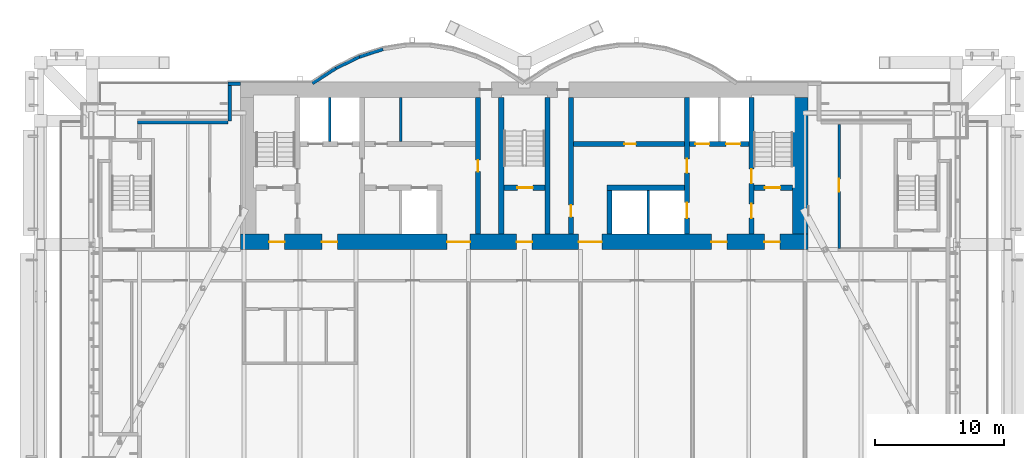
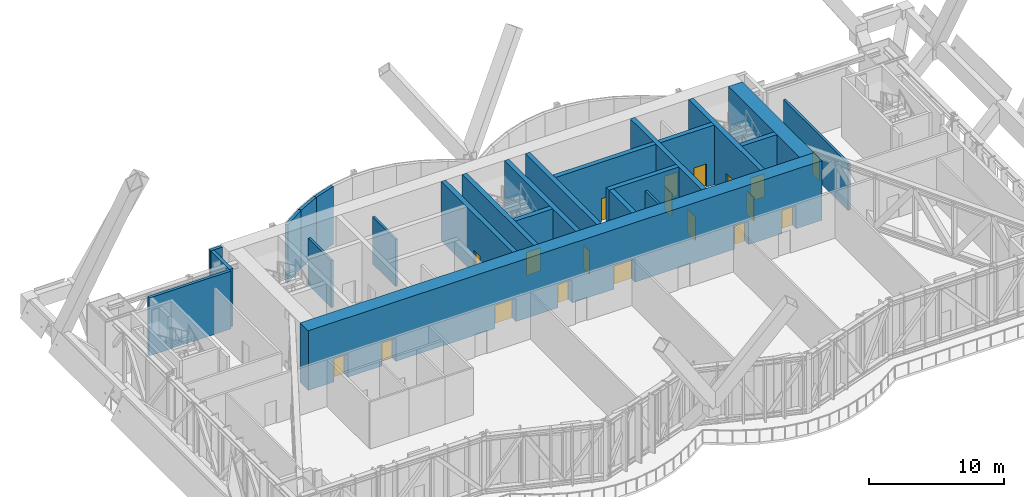
# One storey, part 25 of 30: 23 walls, 19 doors, 19 openings.
"""IFC4 building model written with IfcOpenShell, lengths in metres."""

from ifc_helpers import new_model, si_unit, direction, frame, frame_2d, origin, place, context, subcontext, project, spatial, rectangle, extrude, material, layer, layer_set, layer_usage, type_object, element, fill, save


model = new_model("IFC4")

# Units and contexts
model_context = context("Model", 3, precision=1e-05, world=origin(), true_north=direction((0.0, 1.0)))
body_context = subcontext(model_context, "Body", "Model", "MODEL_VIEW")
ifc_project = project(units=[si_unit("LENGTHUNIT", "METRE"), si_unit("AREAUNIT", "SQUARE_METRE"), si_unit("VOLUMEUNIT", "CUBIC_METRE"), si_unit("PLANEANGLEUNIT", "RADIAN"), si_unit("MASSUNIT", "GRAM", prefix="KILO")], contexts=[model_context])

# Site, building, storey
site_placement = place(None, origin())
site = spatial("IfcSite", under=ifc_project, at=site_placement, CompositionType="ELEMENT")
building_placement = place(site_placement, origin())
building = spatial("IfcBuilding", under=site, at=building_placement, Name="Bicima Exchange Tower", CompositionType="ELEMENT")
storey_placement = place(building_placement, frame((0.0, 0.0, 185.5)))
storey = spatial("IfcBuildingStorey", under=building, at=storey_placement, Name="L41", CompositionType="ELEMENT", Elevation=185.5)

# Walls
ifc_material_1 = material(Name="Gypsum board partition")
ifc_layer_1 = layer(ifc_material_1, 0.199951171875)
ifc_layer_set_1 = layer_set([ifc_layer_1], Name="Gypsum board partition")
wall_type_1 = type_object("IfcWallType", Name="Fire-rated gypsum partition 200 EI120", PredefinedType="PARTITIONING", material=ifc_layer_set_1)
for number, where, z_axis, x_axis, name in (
    (1, (-15.10009765625, -4.60009765625, 0.0), (0.0, 0.0, 1.0), (0.0, 1.0, 0.0), "partition wall 9"),
    (2, (9.60009765625, -11.800048828125, 0.0), (0.0, 0.0, 1.0), (0.0, 1.0, 0.0), "partition wall 19"),
):
    element("IfcWall", number, at=place(storey_placement, frame(where, z_axis=z_axis, x_axis=x_axis)), inside=storey, type_object=wall_type_1, Name=name, PredefinedType="PARTITIONING", context=body_context, shape_type="SweptSolid", body=[
        extrude(rectangle(XDim=3.400146484375, YDim=0.199951171875, at=frame_2d((1.7001953125, 0.0))), origin(), (0.0, 0.0, 1.0), 4.259765625),
    ])

# Wall, opening, door
ifc_layer_2 = layer(ifc_material_1, 0.199951171875)
ifc_layer_set_2 = layer_set([ifc_layer_2], Name="Gypsum board partition")
wall_type_2 = type_object("IfcWallType", Name="Fire-rated gypsum partition 200 EI60", PredefinedType="PARTITIONING", material=ifc_layer_set_2)
wall_1_placement = place(storey_placement, frame((24.39990234375, -12.89990234375, 0.0), z_axis=(0.0, 0.0, 1.0), x_axis=(0.0, 1.0, 0.0)))
wall_1 = element("IfcWall", 3, at=wall_1_placement, inside=storey, type_object=wall_type_2, Name="partition wall 24", PredefinedType="PARTITIONING", context=body_context, shape_type="SweptSolid", body=[
    extrude(rectangle(XDim=9.599853515625, YDim=0.199951171875, at=frame_2d((4.7998046875, 0.0))), origin(), (0.0, 0.0, 1.0), 4.259765625),
])
opening_1_placement = place(wall_1_placement, frame((4.39990234375, 0.0, 0.0)))
opening_1 = element("IfcOpeningElement", 4, at=opening_1_placement, cuts=wall_1, Name="Opening L41-006", PredefinedType="OPENING", context=body_context, shape_type="SweptSolid", body=[
    extrude(rectangle(XDim=1.0, YDim=2.10009765625, at=frame_2d((0.5, 1.050048828125))), frame((0.0, 0.11181640625, 0.0), z_axis=(0.0, -1.0, 0.0), x_axis=(1.0, 0.0, 0.0)), (0.0, 0.0, 1.0), 0.223876953125),
])
ifc_material_2 = material(Name="Steel fire door leaf", Category="steel")
door_type_1 = type_object("IfcDoorType", Name="Door 1000 swing FD30S", OperationType="SINGLE_SWING_LEFT", PredefinedType="DOOR", material=ifc_material_2)
door_1_placement = place(opening_1_placement, frame((1.0, 0.0, 0.0), z_axis=(0.0, 0.0, 1.0), x_axis=(-1.0, 0.0, 0.0)))
door_1 = element("IfcDoor", 5, at=door_1_placement, inside=storey, type_object=door_type_1, Name="Door", OperationType="SINGLE_SWING_RIGHT", OverallHeight=2.10009765625, OverallWidth=1.0, PredefinedType="DOOR", context=body_context, shape_type="SweptSolid", body=[
    extrude(rectangle(XDim=1.0, YDim=2.10009765625, at=frame_2d((0.5, 1.050048828125))), frame((0.0, 0.02490234375, 0.0), z_axis=(0.0, -1.0, 0.0), x_axis=(1.0, 0.0, 0.0)), (0.0, 0.0, 1.0), 0.050048828125),
])
fill(opening_1, door_1)

# Wall
wall_2_placement = place(storey_placement, frame((-9.60009765625, -4.60009765625, 0.0), z_axis=(0.0, 0.0, 1.0), x_axis=(0.0, 1.0, 0.0)))
element("IfcWall", 6, at=wall_2_placement, inside=storey, type_object=wall_type_2, Name="partition wall 12", PredefinedType="PARTITIONING", context=body_context, shape_type="SweptSolid", body=[
    extrude(rectangle(XDim=3.400146484375, YDim=0.199951171875, at=frame_2d((1.7001953125, 0.0))), origin(), (0.0, 0.0, 1.0), 4.259765625),
])

# Wall, openings, doors
ifc_material_3 = material(Name="Concrete C50/60", Category="concrete")
ifc_layer_3 = layer(ifc_material_3, 1.199951171875)
ifc_layer_set_3 = layer_set([ifc_layer_3], Name="Concrete C50/60")
wall_type_3 = type_object("IfcWallType", Name="RC core wall 1200 C50/60", PredefinedType="SHEAR", material=ifc_layer_set_3)
wall_3_placement = place(storey_placement, frame((-22.0, -12.39990234375, 0.0), z_axis=(0.0, 0.0, 1.0), x_axis=(1.0, 0.0, 0.0)))
wall_3 = element("IfcWall", 7, at=wall_3_placement, inside=storey, type_object=wall_type_3, Name="Core wall south", PredefinedType="SHEAR", context=body_context, shape_type="SweptSolid", body=[
    extrude(rectangle(XDim=44.0, YDim=1.199951171875, at=frame_2d((22.0, 0.0))), origin(), (0.0, 0.0, 1.0), 5.39990234375),
])
opening_2_placement = place(wall_3_placement, frame((2.199951171875, 0.0, 0.0)))
opening_2 = element("IfcOpeningElement", 8, at=opening_2_placement, cuts=wall_3, Name="Opening L41-C18", PredefinedType="OPENING", context=body_context, shape_type="SweptSolid", body=[
    extrude(rectangle(XDim=1.199951171875, YDim=2.10009765625, at=frame_2d((0.60009765625, 1.050048828125))), frame((0.0, 0.61181640625, 0.0), z_axis=(0.0, -1.0, 0.0), x_axis=(1.0, 0.0, 0.0)), (0.0, 0.0, 1.0), 1.223876953125),
])
opening_3_placement = place(wall_3_placement, frame((21.39990234375, 0.0, 0.0)))
opening_3 = element("IfcOpeningElement", 9, at=opening_3_placement, cuts=wall_3, Name="Opening L41-C19", PredefinedType="OPENING", context=body_context, shape_type="SweptSolid", body=[
    extrude(rectangle(XDim=1.199951171875, YDim=2.10009765625, at=frame_2d((0.60009765625, 1.050048828125))), frame((0.0, 0.61181640625, 0.0), z_axis=(0.0, -1.0, 0.0), x_axis=(1.0, 0.0, 0.0)), (0.0, 0.0, 1.0), 1.223876953125),
])
opening_4_placement = place(wall_3_placement, frame((40.60009765625, 0.0, 0.0)))
opening_4 = element("IfcOpeningElement", 10, at=opening_4_placement, cuts=wall_3, Name="Opening L41-C20", PredefinedType="OPENING", context=body_context, shape_type="SweptSolid", body=[
    extrude(rectangle(XDim=1.199951171875, YDim=2.10009765625, at=frame_2d((0.60009765625, 1.050048828125))), frame((0.0, 0.61181640625, 0.0), z_axis=(0.0, -1.0, 0.0), x_axis=(1.0, 0.0, 0.0)), (0.0, 0.0, 1.0), 1.223876953125),
])
opening_5_placement = place(wall_3_placement, frame((16.0, 0.0, 0.0)))
opening_5 = element("IfcOpeningElement", 11, at=opening_5_placement, cuts=wall_3, Name="Opening L41-C21", PredefinedType="OPENING", context=body_context, shape_type="SweptSolid", body=[
    extrude(rectangle(XDim=1.800048828125, YDim=2.10009765625, at=frame_2d((0.89990234375, 1.050048828125))), frame((0.0, 0.61181640625, 0.0), z_axis=(0.0, -1.0, 0.0), x_axis=(1.0, 0.0, 0.0)), (0.0, 0.0, 1.0), 1.223876953125),
])
opening_6_placement = place(wall_3_placement, frame((6.300048828125, 0.0, 0.0)))
opening_6 = element("IfcOpeningElement", 12, at=opening_6_placement, cuts=wall_3, Name="Opening L41-C22", PredefinedType="OPENING", context=body_context, shape_type="SweptSolid", body=[
    extrude(rectangle(XDim=1.199951171875, YDim=2.10009765625, at=frame_2d((0.60009765625, 1.050048828125))), frame((0.0, 0.61181640625, 0.0), z_axis=(0.0, -1.0, 0.0), x_axis=(1.0, 0.0, 0.0)), (0.0, 0.0, 1.0), 1.223876953125),
])
opening_7_placement = place(wall_3_placement, frame((26.199951171875, 0.0, 0.0)))
opening_7 = element("IfcOpeningElement", 13, at=opening_7_placement, cuts=wall_3, Name="Opening L41-C23", PredefinedType="OPENING", context=body_context, shape_type="SweptSolid", body=[
    extrude(rectangle(XDim=1.800048828125, YDim=2.10009765625, at=frame_2d((0.89990234375, 1.050048828125))), frame((0.0, 0.61181640625, 0.0), z_axis=(0.0, -1.0, 0.0), x_axis=(1.0, 0.0, 0.0)), (0.0, 0.0, 1.0), 1.223876953125),
])
opening_8_placement = place(wall_3_placement, frame((36.5, 0.0, 0.0)))
opening_8 = element("IfcOpeningElement", 14, at=opening_8_placement, cuts=wall_3, Name="Opening L41-C24", PredefinedType="OPENING", context=body_context, shape_type="SweptSolid", body=[
    extrude(rectangle(XDim=1.199951171875, YDim=2.10009765625, at=frame_2d((0.60009765625, 1.050048828125))), frame((0.0, 0.61181640625, 0.0), z_axis=(0.0, -1.0, 0.0), x_axis=(1.0, 0.0, 0.0)), (0.0, 0.0, 1.0), 1.223876953125),
])
door_type_2 = type_object("IfcDoorType", Name="Door 1200 swing FD60S", OperationType="SINGLE_SWING_LEFT", PredefinedType="DOOR", material=ifc_material_2)
door_2_placement = place(opening_2_placement, frame((1.199951171875, 0.0, 0.0), z_axis=(0.0, 0.0, 1.0), x_axis=(-1.0, 0.0, 0.0)))
door_2 = element("IfcDoor", 15, at=door_2_placement, inside=storey, type_object=door_type_2, Name="Core door", OperationType="SINGLE_SWING_RIGHT", OverallHeight=2.10009765625, OverallWidth=1.199951171875, PredefinedType="DOOR", context=body_context, shape_type="SweptSolid", body=[
    extrude(rectangle(XDim=1.199951171875, YDim=2.10009765625, at=frame_2d((0.60009765625, 1.050048828125))), frame((0.0, 0.02490234375, 0.0), z_axis=(0.0, -1.0, 0.0), x_axis=(1.0, 0.0, 0.0)), (0.0, 0.0, 1.0), 0.050048828125),
])
fill(opening_2, door_2)
door_3_placement = place(opening_3_placement, frame((1.199951171875, 0.0, 0.0), z_axis=(0.0, 0.0, 1.0), x_axis=(-1.0, 0.0, 0.0)))
door_3 = element("IfcDoor", 16, at=door_3_placement, inside=storey, type_object=door_type_2, Name="Core door", OperationType="SINGLE_SWING_RIGHT", OverallHeight=2.10009765625, OverallWidth=1.199951171875, PredefinedType="DOOR", context=body_context, shape_type="SweptSolid", body=[
    extrude(rectangle(XDim=1.199951171875, YDim=2.10009765625, at=frame_2d((0.60009765625, 1.050048828125))), frame((0.0, 0.02490234375, 0.0), z_axis=(0.0, -1.0, 0.0), x_axis=(1.0, 0.0, 0.0)), (0.0, 0.0, 1.0), 0.050048828125),
])
fill(opening_3, door_3)
door_4_placement = place(opening_4_placement, frame((1.199951171875, 0.0, 0.0), z_axis=(0.0, 0.0, 1.0), x_axis=(-1.0, 0.0, 0.0)))
door_4 = element("IfcDoor", 17, at=door_4_placement, inside=storey, type_object=door_type_2, Name="Core door", OperationType="SINGLE_SWING_RIGHT", OverallHeight=2.10009765625, OverallWidth=1.199951171875, PredefinedType="DOOR", context=body_context, shape_type="SweptSolid", body=[
    extrude(rectangle(XDim=1.199951171875, YDim=2.10009765625, at=frame_2d((0.60009765625, 1.050048828125))), frame((0.0, 0.02490234375, 0.0), z_axis=(0.0, -1.0, 0.0), x_axis=(1.0, 0.0, 0.0)), (0.0, 0.0, 1.0), 0.050048828125),
])
fill(opening_4, door_4)
door_5_placement = place(opening_6_placement, frame((1.199951171875, 0.0, 0.0), z_axis=(0.0, 0.0, 1.0), x_axis=(-1.0, 0.0, 0.0)))
door_5 = element("IfcDoor", 18, at=door_5_placement, inside=storey, type_object=door_type_2, Name="Core door", OperationType="SINGLE_SWING_RIGHT", OverallHeight=2.10009765625, OverallWidth=1.199951171875, PredefinedType="DOOR", context=body_context, shape_type="SweptSolid", body=[
    extrude(rectangle(XDim=1.199951171875, YDim=2.10009765625, at=frame_2d((0.60009765625, 1.050048828125))), frame((0.0, 0.02490234375, 0.0), z_axis=(0.0, -1.0, 0.0), x_axis=(1.0, 0.0, 0.0)), (0.0, 0.0, 1.0), 0.050048828125),
])
fill(opening_6, door_5)
door_6_placement = place(opening_8_placement, frame((1.199951171875, 0.0, 0.0), z_axis=(0.0, 0.0, 1.0), x_axis=(-1.0, 0.0, 0.0)))
door_6 = element("IfcDoor", 19, at=door_6_placement, inside=storey, type_object=door_type_2, Name="Core door", OperationType="SINGLE_SWING_RIGHT", OverallHeight=2.10009765625, OverallWidth=1.199951171875, PredefinedType="DOOR", context=body_context, shape_type="SweptSolid", body=[
    extrude(rectangle(XDim=1.199951171875, YDim=2.10009765625, at=frame_2d((0.60009765625, 1.050048828125))), frame((0.0, 0.02490234375, 0.0), z_axis=(0.0, -1.0, 0.0), x_axis=(1.0, 0.0, 0.0)), (0.0, 0.0, 1.0), 0.050048828125),
])
fill(opening_8, door_6)
door_type_3 = type_object("IfcDoorType", Name="Door 1800 double swing FD30S", OperationType="DOUBLE_DOOR_SINGLE_SWING", PredefinedType="DOOR", material=ifc_material_2)
door_7_placement = place(opening_5_placement, origin())
door_7 = element("IfcDoor", 20, at=door_7_placement, inside=storey, type_object=door_type_3, Name="Core door", OperationType="SINGLE_SWING_LEFT", OverallHeight=2.10009765625, OverallWidth=1.800048828125, PredefinedType="DOOR", context=body_context, shape_type="SweptSolid", body=[
    extrude(rectangle(XDim=1.800048828125, YDim=2.10009765625, at=frame_2d((0.89990234375, 1.050048828125))), frame((0.0, 0.02490234375, 0.0), z_axis=(0.0, -1.0, 0.0), x_axis=(1.0, 0.0, 0.0)), (0.0, 0.0, 1.0), 0.050048828125),
])
fill(opening_5, door_7)
door_8_placement = place(opening_7_placement, origin())
door_8 = element("IfcDoor", 21, at=door_8_placement, inside=storey, type_object=door_type_3, Name="Core door", OperationType="SINGLE_SWING_LEFT", OverallHeight=2.10009765625, OverallWidth=1.800048828125, PredefinedType="DOOR", context=body_context, shape_type="SweptSolid", body=[
    extrude(rectangle(XDim=1.800048828125, YDim=2.10009765625, at=frame_2d((0.89990234375, 1.050048828125))), frame((0.0, 0.02490234375, 0.0), z_axis=(0.0, -1.0, 0.0), x_axis=(1.0, 0.0, 0.0)), (0.0, 0.0, 1.0), 0.050048828125),
])
fill(opening_7, door_8)

# Wall
wall_4_placement = place(storey_placement, frame((21.39990234375, -11.800048828125, 0.0), z_axis=(0.0, 0.0, 1.0), x_axis=(0.0, 1.0, 0.0)))
element("IfcWall", 22, at=wall_4_placement, inside=storey, type_object=wall_type_3, Name="Core wall east", PredefinedType="SHEAR", context=body_context, shape_type="SweptSolid", body=[
    extrude(rectangle(XDim=10.60009765625, YDim=1.199951171875, at=frame_2d((5.300048828125, 0.0))), origin(), (0.0, 0.0, 1.0), 5.39990234375),
])

# Wall, opening, door
ifc_layer_4 = layer(ifc_material_3, 0.39990234375)
ifc_layer_set_4 = layer_set([ifc_layer_4], Name="Concrete C50/60")
wall_type_4 = type_object("IfcWallType", Name="RC core wall 400 C50/60", PredefinedType="SHEAR", material=ifc_layer_set_4)
wall_5_placement = place(storey_placement, frame((-1.60009765625, -8.199951171875, 0.0), z_axis=(0.0, 0.0, 1.0), x_axis=(1.0, 0.0, 0.0)))
wall_5 = element("IfcWall", 23, at=wall_5_placement, inside=storey, type_object=wall_type_4, Name="stair wall 3", PredefinedType="SHEAR", context=body_context, shape_type="SweptSolid", body=[
    extrude(rectangle(XDim=3.2001953125, YDim=0.39990234375, at=frame_2d((1.60009765625, 0.0))), origin(), (0.0, 0.0, 1.0), 5.39990234375),
])
opening_9_placement = place(wall_5_placement, frame((1.050048828125, 0.0, 0.0)))
opening_9 = element("IfcOpeningElement", 24, at=opening_9_placement, cuts=wall_5, Name="Opening L41-C03", PredefinedType="OPENING", context=body_context, shape_type="SweptSolid", body=[
    extrude(rectangle(XDim=1.199951171875, YDim=2.10009765625, at=frame_2d((0.60009765625, 1.050048828125))), frame((0.0, 0.2119140625, 0.0), z_axis=(0.0, -1.0, 0.0), x_axis=(1.0, 0.0, 0.0)), (0.0, 0.0, 1.0), 0.423828125),
])
door_9_placement = place(opening_9_placement, origin())
door_9 = element("IfcDoor", 25, at=door_9_placement, inside=storey, type_object=door_type_2, Name="Core door", OperationType="SINGLE_SWING_LEFT", OverallHeight=2.10009765625, OverallWidth=1.199951171875, PredefinedType="DOOR", context=body_context, shape_type="SweptSolid", body=[
    extrude(rectangle(XDim=1.199951171875, YDim=2.10009765625, at=frame_2d((0.60009765625, 1.050048828125))), frame((0.0, 0.02490234375, 0.0), z_axis=(0.0, -1.0, 0.0), x_axis=(1.0, 0.0, 0.0)), (0.0, 0.0, 1.0), 0.050048828125),
])
fill(opening_9, door_9)

# Wall
wall_6_placement = place(storey_placement, frame((6.39990234375, -8.199951171875, 0.0), z_axis=(0.0, 0.0, 1.0), x_axis=(1.0, 0.0, 0.0)))
element("IfcWall", 26, at=wall_6_placement, inside=storey, type_object=wall_type_4, Name="shear wall 4", PredefinedType="SHEAR", context=body_context, shape_type="SweptSolid", body=[
    extrude(rectangle(XDim=6.0, YDim=0.39990234375, at=frame_2d((3.0, 0.0))), origin(), (0.0, 0.0, 1.0), 5.39990234375),
])

# Wall, opening, door
wall_7_placement = place(storey_placement, frame((17.800048828125, -8.199951171875, 0.0), z_axis=(0.0, 0.0, 1.0), x_axis=(1.0, 0.0, 0.0)))
wall_7 = element("IfcWall", 27, at=wall_7_placement, inside=storey, type_object=wall_type_4, Name="stair wall 5", PredefinedType="SHEAR", context=body_context, shape_type="SweptSolid", body=[
    extrude(rectangle(XDim=3.0, YDim=0.39990234375, at=frame_2d((1.5, 0.0))), origin(), (0.0, 0.0, 1.0), 5.39990234375),
])
opening_10_placement = place(wall_7_placement, frame((0.85009765625, 0.0, 0.0)))
opening_10 = element("IfcOpeningElement", 28, at=opening_10_placement, cuts=wall_7, Name="Opening L41-C04", PredefinedType="OPENING", context=body_context, shape_type="SweptSolid", body=[
    extrude(rectangle(XDim=1.199951171875, YDim=2.10009765625, at=frame_2d((0.60009765625, 1.050048828125))), frame((0.0, 0.2119140625, 0.0), z_axis=(0.0, -1.0, 0.0), x_axis=(1.0, 0.0, 0.0)), (0.0, 0.0, 1.0), 0.423828125),
])
door_10_placement = place(opening_10_placement, origin())
door_10 = element("IfcDoor", 29, at=door_10_placement, inside=storey, type_object=door_type_2, Name="Core door", OperationType="SINGLE_SWING_RIGHT", OverallHeight=2.10009765625, OverallWidth=1.199951171875, PredefinedType="DOOR", context=body_context, shape_type="SweptSolid", body=[
    extrude(rectangle(XDim=1.199951171875, YDim=2.10009765625, at=frame_2d((0.60009765625, 1.050048828125))), frame((0.0, 0.02490234375, 0.0), z_axis=(0.0, -1.0, 0.0), x_axis=(1.0, 0.0, 0.0)), (0.0, 0.0, 1.0), 0.050048828125),
])
fill(opening_10, door_10)

# Wall, openings, doors
wall_8_placement = place(storey_placement, frame((3.800048828125, -4.800048828125, 0.0), z_axis=(0.0, 0.0, 1.0), x_axis=(1.0, 0.0, 0.0)))
wall_8 = element("IfcWall", 30, at=wall_8_placement, inside=storey, type_object=wall_type_4, Name="shear wall 7", PredefinedType="SHEAR", context=body_context, shape_type="SweptSolid", body=[
    extrude(rectangle(XDim=13.599853515625, YDim=0.39990234375, at=frame_2d((6.7998046875, 0.0))), origin(), (0.0, 0.0, 1.0), 5.39990234375),
])
opening_11_placement = place(wall_8_placement, frame((9.449951171875, 0.0, 0.0)))
opening_11 = element("IfcOpeningElement", 31, at=opening_11_placement, cuts=wall_8, Name="Opening LD-FF2-L41", PredefinedType="OPENING", context=body_context, shape_type="SweptSolid", body=[
    extrude(rectangle(XDim=1.10009765625, YDim=2.10009765625, at=frame_2d((0.550048828125, 1.050048828125))), frame((0.0, 0.2119140625, 0.0), z_axis=(0.0, -1.0, 0.0), x_axis=(1.0, 0.0, 0.0)), (0.0, 0.0, 1.0), 0.423828125),
])
opening_12_placement = place(wall_8_placement, frame((11.85009765625, 0.0, 0.0)))
opening_12 = element("IfcOpeningElement", 32, at=opening_12_placement, cuts=wall_8, Name="Opening LD-SV1-L41", PredefinedType="OPENING", context=body_context, shape_type="SweptSolid", body=[
    extrude(rectangle(XDim=1.10009765625, YDim=2.10009765625, at=frame_2d((0.550048828125, 1.050048828125))), frame((0.0, 0.2119140625, 0.0), z_axis=(0.0, -1.0, 0.0), x_axis=(1.0, 0.0, 0.0)), (0.0, 0.0, 1.0), 0.423828125),
])
opening_13_placement = place(wall_8_placement, frame((3.949951171875, 0.0, 0.0)))
opening_13 = element("IfcOpeningElement", 33, at=opening_13_placement, cuts=wall_8, Name="Opening L41-C14", PredefinedType="OPENING", context=body_context, shape_type="SweptSolid", body=[
    extrude(rectangle(XDim=0.89990234375, YDim=2.10009765625, at=frame_2d((0.449951171875, 1.050048828125))), frame((0.0, 0.2119140625, 0.0), z_axis=(0.0, -1.0, 0.0), x_axis=(1.0, 0.0, 0.0)), (0.0, 0.0, 1.0), 0.423828125),
])
door_type_4 = type_object("IfcDoorType", Name="Door 900 swing FD30S", OperationType="SINGLE_SWING_LEFT", PredefinedType="DOOR", material=ifc_material_2)
door_11_placement = place(opening_13_placement, origin())
door_11 = element("IfcDoor", 34, at=door_11_placement, inside=storey, type_object=door_type_4, Name="Core door", OperationType="SINGLE_SWING_RIGHT", OverallHeight=2.10009765625, OverallWidth=0.89990234375, PredefinedType="DOOR", context=body_context, shape_type="SweptSolid", body=[
    extrude(rectangle(XDim=0.89990234375, YDim=2.10009765625, at=frame_2d((0.449951171875, 1.050048828125))), frame((0.0, 0.02490234375, 0.0), z_axis=(0.0, -1.0, 0.0), x_axis=(1.0, 0.0, 0.0)), (0.0, 0.0, 1.0), 0.050048828125),
])
fill(opening_13, door_11)
ifc_material_4 = material(Name="Stainless steel", Category="steel")
door_type_5 = type_object("IfcDoorType", Name="Lift landing door 1100 sliding", OperationType="DOUBLE_DOOR_SLIDING", PredefinedType="DOOR", material=ifc_material_4)
door_12_placement = place(opening_11_placement, origin())
door_12 = element("IfcDoor", 35, at=door_12_placement, inside=storey, type_object=door_type_5, Name="Lift landing door FF2", OperationType="DOUBLE_DOOR_SLIDING", OverallHeight=2.10009765625, OverallWidth=1.10009765625, PredefinedType="DOOR", context=body_context, shape_type="SweptSolid", body=[
    extrude(rectangle(XDim=1.10009765625, YDim=2.10009765625, at=frame_2d((0.550048828125, 1.050048828125))), frame((0.0, 0.02490234375, 0.0), z_axis=(0.0, -1.0, 0.0), x_axis=(1.0, 0.0, 0.0)), (0.0, 0.0, 1.0), 0.050048828125),
])
fill(opening_11, door_12)
door_13_placement = place(opening_12_placement, origin())
door_13 = element("IfcDoor", 36, at=door_13_placement, inside=storey, type_object=door_type_5, Name="Lift landing door SV1", OperationType="DOUBLE_DOOR_SLIDING", OverallHeight=2.10009765625, OverallWidth=1.10009765625, PredefinedType="DOOR", context=body_context, shape_type="SweptSolid", body=[
    extrude(rectangle(XDim=1.10009765625, YDim=2.10009765625, at=frame_2d((0.550048828125, 1.050048828125))), frame((0.0, 0.02490234375, 0.0), z_axis=(0.0, -1.0, 0.0), x_axis=(1.0, 0.0, 0.0)), (0.0, 0.0, 1.0), 0.050048828125),
])
fill(opening_12, door_13)

# Wall, opening, door
wall_9_placement = place(storey_placement, frame((-3.60009765625, -11.800048828125, 0.0), z_axis=(0.0, 0.0, 1.0), x_axis=(0.0, 1.0, 0.0)))
wall_9 = element("IfcWall", 37, at=wall_9_placement, inside=storey, type_object=wall_type_4, Name="shear wall 14", PredefinedType="SHEAR", context=body_context, shape_type="SweptSolid", body=[
    extrude(rectangle(XDim=10.60009765625, YDim=0.39990234375, at=frame_2d((5.300048828125, 0.0))), origin(), (0.0, 0.0, 1.0), 5.39990234375),
])
opening_14_placement = place(wall_9_placement, frame((4.85009765625, 0.0, 0.0)))
opening_14 = element("IfcOpeningElement", 38, at=opening_14_placement, cuts=wall_9, Name="Opening L41-C10", PredefinedType="OPENING", context=body_context, shape_type="SweptSolid", body=[
    extrude(rectangle(XDim=0.89990234375, YDim=2.10009765625, at=frame_2d((0.449951171875, 1.050048828125))), frame((0.0, 0.2119140625, 0.0), z_axis=(0.0, -1.0, 0.0), x_axis=(1.0, 0.0, 0.0)), (0.0, 0.0, 1.0), 0.423828125),
])
door_14_placement = place(opening_14_placement, frame((0.89990234375, 0.0, 0.0), z_axis=(0.0, 0.0, 1.0), x_axis=(-1.0, 0.0, 0.0)))
door_14 = element("IfcDoor", 39, at=door_14_placement, inside=storey, type_object=door_type_4, Name="Core door", OperationType="SINGLE_SWING_LEFT", OverallHeight=2.10009765625, OverallWidth=0.89990234375, PredefinedType="DOOR", context=body_context, shape_type="SweptSolid", body=[
    extrude(rectangle(XDim=0.89990234375, YDim=2.10009765625, at=frame_2d((0.449951171875, 1.050048828125))), frame((0.0, 0.02490234375, 0.0), z_axis=(0.0, -1.0, 0.0), x_axis=(1.0, 0.0, 0.0)), (0.0, 0.0, 1.0), 0.050048828125),
])
fill(opening_14, door_14)

# Walls
for number, where, z_axis, x_axis, name in (
    (40, (-1.800048828125, -11.800048828125, 0.0), (0.0, 0.0, 1.0), (0.0, 1.0, 0.0), "stair wall 15"),
    (41, (1.800048828125, -11.800048828125, 0.0), (0.0, 0.0, 1.0), (0.0, 1.0, 0.0), "stair wall 16"),
):
    element("IfcWall", number, at=place(storey_placement, frame(where, z_axis=z_axis, x_axis=x_axis)), inside=storey, type_object=wall_type_4, Name=name, PredefinedType="SHEAR", context=body_context, shape_type="SweptSolid", body=[
        extrude(rectangle(XDim=10.60009765625, YDim=0.39990234375, at=frame_2d((5.300048828125, 0.0))), origin(), (0.0, 0.0, 1.0), 5.39990234375),
    ])

# Wall, opening, door
wall_10_placement = place(storey_placement, frame((3.60009765625, -11.800048828125, 0.0), z_axis=(0.0, 0.0, 1.0), x_axis=(0.0, 1.0, 0.0)))
wall_10 = element("IfcWall", 42, at=wall_10_placement, inside=storey, type_object=wall_type_4, Name="shear wall 17", PredefinedType="SHEAR", context=body_context, shape_type="SweptSolid", body=[
    extrude(rectangle(XDim=10.60009765625, YDim=0.39990234375, at=frame_2d((5.300048828125, 0.0))), origin(), (0.0, 0.0, 1.0), 5.39990234375),
])
opening_15_placement = place(wall_10_placement, frame((1.35009765625, 0.0, 0.0)))
opening_15 = element("IfcOpeningElement", 43, at=opening_15_placement, cuts=wall_10, Name="Opening L41-C11", PredefinedType="OPENING", context=body_context, shape_type="SweptSolid", body=[
    extrude(rectangle(XDim=0.89990234375, YDim=2.10009765625, at=frame_2d((0.449951171875, 1.050048828125))), frame((0.0, 0.2119140625, 0.0), z_axis=(0.0, -1.0, 0.0), x_axis=(1.0, 0.0, 0.0)), (0.0, 0.0, 1.0), 0.423828125),
])
door_15_placement = place(opening_15_placement, origin())
door_15 = element("IfcDoor", 44, at=door_15_placement, inside=storey, type_object=door_type_4, Name="Core door", OperationType="SINGLE_SWING_LEFT", OverallHeight=2.10009765625, OverallWidth=0.89990234375, PredefinedType="DOOR", context=body_context, shape_type="SweptSolid", body=[
    extrude(rectangle(XDim=0.89990234375, YDim=2.10009765625, at=frame_2d((0.449951171875, 1.050048828125))), frame((0.0, 0.02490234375, 0.0), z_axis=(0.0, -1.0, 0.0), x_axis=(1.0, 0.0, 0.0)), (0.0, 0.0, 1.0), 0.050048828125),
])
fill(opening_15, door_15)

# Wall
wall_11_placement = place(storey_placement, frame((6.60009765625, -11.800048828125, 0.0), z_axis=(0.0, 0.0, 1.0), x_axis=(0.0, 1.0, 0.0)))
element("IfcWall", 45, at=wall_11_placement, inside=storey, type_object=wall_type_4, Name="shear wall 18", PredefinedType="SHEAR", context=body_context, shape_type="SweptSolid", body=[
    extrude(rectangle(XDim=3.400146484375, YDim=0.39990234375, at=frame_2d((1.7001953125, 0.0))), origin(), (0.0, 0.0, 1.0), 5.39990234375),
])

# Wall, openings, doors
wall_12_placement = place(storey_placement, frame((12.60009765625, -11.800048828125, 0.0), z_axis=(0.0, 0.0, 1.0), x_axis=(0.0, 1.0, 0.0)))
wall_12 = element("IfcWall", 46, at=wall_12_placement, inside=storey, type_object=wall_type_4, Name="shear wall 20", PredefinedType="SHEAR", context=body_context, shape_type="SweptSolid", body=[
    extrude(rectangle(XDim=10.60009765625, YDim=0.39990234375, at=frame_2d((5.300048828125, 0.0))), origin(), (0.0, 0.0, 1.0), 5.39990234375),
])
opening_16_placement = place(wall_12_placement, frame((1.25, 0.0, 0.0)))
opening_16 = element("IfcOpeningElement", 47, at=opening_16_placement, cuts=wall_12, Name="Opening LD-MB2-L41", PredefinedType="OPENING", context=body_context, shape_type="SweptSolid", body=[
    extrude(rectangle(XDim=1.199951171875, YDim=2.10009765625, at=frame_2d((0.60009765625, 1.050048828125))), frame((0.0, 0.2119140625, 0.0), z_axis=(0.0, -1.0, 0.0), x_axis=(1.0, 0.0, 0.0)), (0.0, 0.0, 1.0), 0.423828125),
])
opening_17_placement = place(wall_12_placement, frame((4.75, 0.0, 0.0)))
opening_17 = element("IfcOpeningElement", 48, at=opening_17_placement, cuts=wall_12, Name="Opening L41-C09", PredefinedType="OPENING", context=body_context, shape_type="SweptSolid", body=[
    extrude(rectangle(XDim=1.10009765625, YDim=2.10009765625, at=frame_2d((0.550048828125, 1.050048828125))), frame((0.0, 0.2119140625, 0.0), z_axis=(0.0, -1.0, 0.0), x_axis=(1.0, 0.0, 0.0)), (0.0, 0.0, 1.0), 0.423828125),
])
door_type_6 = type_object("IfcDoorType", Name="Door 1100 swing FD60S", OperationType="SINGLE_SWING_LEFT", PredefinedType="DOOR", material=ifc_material_2)
door_16_placement = place(opening_17_placement, frame((1.10009765625, 0.0, 0.0), z_axis=(0.0, 0.0, 1.0), x_axis=(-1.0, 0.0, 0.0)))
door_16 = element("IfcDoor", 49, at=door_16_placement, inside=storey, type_object=door_type_6, Name="Core door", OperationType="SINGLE_SWING_RIGHT", OverallHeight=2.10009765625, OverallWidth=1.10009765625, PredefinedType="DOOR", context=body_context, shape_type="SweptSolid", body=[
    extrude(rectangle(XDim=1.10009765625, YDim=2.10009765625, at=frame_2d((0.550048828125, 1.050048828125))), frame((0.0, 0.02490234375, 0.0), z_axis=(0.0, -1.0, 0.0), x_axis=(1.0, 0.0, 0.0)), (0.0, 0.0, 1.0), 0.050048828125),
])
fill(opening_17, door_16)
door_type_7 = type_object("IfcDoorType", Name="Lift landing door 1200 sliding", OperationType="DOUBLE_DOOR_SLIDING", PredefinedType="DOOR", material=ifc_material_4)
door_17_placement = place(opening_16_placement, origin())
door_17 = element("IfcDoor", 50, at=door_17_placement, inside=storey, type_object=door_type_7, Name="Lift landing door MB2", OperationType="DOUBLE_DOOR_SLIDING", OverallHeight=2.10009765625, OverallWidth=1.199951171875, PredefinedType="DOOR", context=body_context, shape_type="SweptSolid", body=[
    extrude(rectangle(XDim=1.199951171875, YDim=2.10009765625, at=frame_2d((0.60009765625, 1.050048828125))), frame((0.0, 0.02490234375, 0.0), z_axis=(0.0, -1.0, 0.0), x_axis=(1.0, 0.0, 0.0)), (0.0, 0.0, 1.0), 0.050048828125),
])
fill(opening_16, door_17)

wall_13_placement = place(storey_placement, frame((17.60009765625, -11.800048828125, 0.0), z_axis=(0.0, 0.0, 1.0), x_axis=(0.0, 1.0, 0.0)))
wall_13 = element("IfcWall", 51, at=wall_13_placement, inside=storey, type_object=wall_type_4, Name="stair wall 22", PredefinedType="SHEAR", context=body_context, shape_type="SweptSolid", body=[
    extrude(rectangle(XDim=10.60009765625, YDim=0.39990234375, at=frame_2d((5.300048828125, 0.0))), origin(), (0.0, 0.0, 1.0), 5.39990234375),
])
opening_18_placement = place(wall_13_placement, frame((1.25, 0.0, 0.0)))
opening_18 = element("IfcOpeningElement", 52, at=opening_18_placement, cuts=wall_13, Name="Opening L41-C05", PredefinedType="OPENING", context=body_context, shape_type="SweptSolid", body=[
    extrude(rectangle(XDim=1.10009765625, YDim=2.10009765625, at=frame_2d((0.550048828125, 1.050048828125))), frame((0.0, 0.2119140625, 0.0), z_axis=(0.0, -1.0, 0.0), x_axis=(1.0, 0.0, 0.0)), (0.0, 0.0, 1.0), 0.423828125),
])
opening_19_placement = place(wall_13_placement, frame((3.949951171875, 0.0, 0.0)))
opening_19 = element("IfcOpeningElement", 53, at=opening_19_placement, cuts=wall_13, Name="Opening L41-C08", PredefinedType="OPENING", context=body_context, shape_type="SweptSolid", body=[
    extrude(rectangle(XDim=1.10009765625, YDim=2.10009765625, at=frame_2d((0.550048828125, 1.050048828125))), frame((0.0, 0.2119140625, 0.0), z_axis=(0.0, -1.0, 0.0), x_axis=(1.0, 0.0, 0.0)), (0.0, 0.0, 1.0), 0.423828125),
])
door_18_placement = place(opening_18_placement, origin())
door_18 = element("IfcDoor", 54, at=door_18_placement, inside=storey, type_object=door_type_6, Name="Core door", OperationType="SINGLE_SWING_LEFT", OverallHeight=2.10009765625, OverallWidth=1.10009765625, PredefinedType="DOOR", context=body_context, shape_type="SweptSolid", body=[
    extrude(rectangle(XDim=1.10009765625, YDim=2.10009765625, at=frame_2d((0.550048828125, 1.050048828125))), frame((0.0, 0.02490234375, 0.0), z_axis=(0.0, -1.0, 0.0), x_axis=(1.0, 0.0, 0.0)), (0.0, 0.0, 1.0), 0.050048828125),
])
fill(opening_18, door_18)
door_19_placement = place(opening_19_placement, origin())
door_19 = element("IfcDoor", 55, at=door_19_placement, inside=storey, type_object=door_type_6, Name="Core door", OperationType="SINGLE_SWING_RIGHT", OverallHeight=2.10009765625, OverallWidth=1.10009765625, PredefinedType="DOOR", context=body_context, shape_type="SweptSolid", body=[
    extrude(rectangle(XDim=1.10009765625, YDim=2.10009765625, at=frame_2d((0.550048828125, 1.050048828125))), frame((0.0, 0.02490234375, 0.0), z_axis=(0.0, -1.0, 0.0), x_axis=(1.0, 0.0, 0.0)), (0.0, 0.0, 1.0), 0.050048828125),
])
fill(opening_19, door_19)

# Walls
ifc_material_5 = material(Name="Concrete C40/50", Category="concrete")
ifc_layer_5 = layer(ifc_material_5, 0.25)
ifc_layer_set_5 = layer_set([ifc_layer_5], Name="Concrete C40/50")
ifc_layer_usage_1 = layer_usage(ifc_layer_set_5, "AXIS2", "POSITIVE", -0.125)
wall_type_5 = type_object("IfcWallType", Name="Rear backup wall 250", PredefinedType="STANDARD", material=ifc_layer_set_5)
wall_14_placement = place(storey_placement, frame((-10.961669921875, 2.5478515625, 0.0), z_axis=(0.0, 0.0, 1.0), x_axis=(-0.951495806175, -0.307661714928, 0.0)))
element("IfcWall", 56, at=wall_14_placement, inside=storey, type_object=wall_type_5, material=ifc_layer_usage_1, Name="Rear backup wall L41 23", PredefinedType="STANDARD", context=body_context, shape_type="SweptSolid", body=[
    extrude(rectangle(XDim=1.9267578125, YDim=0.25, at=frame_2d((0.96337890625, 0.0))), origin(), (0.0, 0.0, 1.0), 5.25),
])
wall_15_placement = place(storey_placement, frame((-12.77880859375, 1.961669921875, 0.0), z_axis=(0.0, 0.0, 1.0), x_axis=(-0.89982408427, -0.436252928206, 0.0)))
element("IfcWall", 57, at=wall_15_placement, inside=storey, type_object=wall_type_5, material=ifc_layer_usage_1, Name="Rear backup wall L41 24", PredefinedType="STANDARD", context=body_context, shape_type="SweptSolid", body=[
    extrude(rectangle(XDim=2.03759765625, YDim=0.25, at=frame_2d((1.018798828125, 0.0))), origin(), (0.0, 0.0, 1.0), 5.25),
])
wall_16_placement = place(storey_placement, frame((-14.598876953125, 1.080078125, 0.0), z_axis=(0.0, 0.0, 1.0), x_axis=(-0.83981312244, -0.542875602121, 0.0)))
element("IfcWall", 58, at=wall_16_placement, inside=storey, type_object=wall_type_5, material=ifc_layer_usage_1, Name="Rear backup wall L41 25", PredefinedType="STANDARD", context=body_context, shape_type="SweptSolid", body=[
    extrude(rectangle(XDim=2.182861328125, YDim=0.25, at=frame_2d((1.09130859375, 0.0))), origin(), (0.0, 0.0, 1.0), 5.25),
])
wall_17_placement = place(storey_placement, frame((-22.0, -0.125, 0.0), z_axis=(0.0, 0.0, 1.0), x_axis=(-1.0, 0.0, 0.0)))
element("IfcWall", 59, at=wall_17_placement, inside=storey, type_object=wall_type_5, material=ifc_layer_usage_1, Name="Rear backup wall L41 26", PredefinedType="STANDARD", context=body_context, shape_type="SweptSolid", body=[
    extrude(rectangle(XDim=1.0, YDim=0.25, at=frame_2d((0.5, 0.0))), origin(), (0.0, 0.0, 1.0), 5.25),
])
wall_18_placement = place(storey_placement, frame((-23.0, -3.125, 0.0), z_axis=(0.0, 0.0, 1.0), x_axis=(-1.0, 0.0, 0.0)))
element("IfcWall", 60, at=wall_18_placement, inside=storey, type_object=wall_type_5, material=ifc_layer_usage_1, Name="Rear backup wall L41 28", PredefinedType="STANDARD", context=body_context, shape_type="SweptSolid", body=[
    extrude(rectangle(XDim=7.0, YDim=0.25, at=frame_2d((3.5, 0.0))), origin(), (0.0, 0.0, 1.0), 5.25),
])
ifc_layer_6 = layer(ifc_material_5, 0.3)
ifc_layer_set_6 = layer_set([ifc_layer_6], Name="Concrete C40/50")
ifc_layer_usage_2 = layer_usage(ifc_layer_set_6, "AXIS2", "POSITIVE", -0.15)
wall_type_6 = type_object("IfcWallType", Name="Refuge band wall 300", PredefinedType="STANDARD", material=ifc_layer_set_6)
wall_19_placement = place(storey_placement, frame((-22.85009765625, -0.27587890625, 0.0), z_axis=(0.0, 0.0, 1.0), x_axis=(0.0, -1.0, 0.0)))
element("IfcWall", 61, at=wall_19_placement, inside=storey, type_object=wall_type_6, material=ifc_layer_usage_2, Name="Refuge band wall L41", PredefinedType="STANDARD", context=body_context, shape_type="SweptSolid", body=[
    extrude(rectangle(XDim=2.748291015625, YDim=0.300048828125, at=frame_2d((1.3740234375, 0.0))), origin(), (0.0, 0.0, 1.0), 5.25),
])

save(model, "model.ifc")
